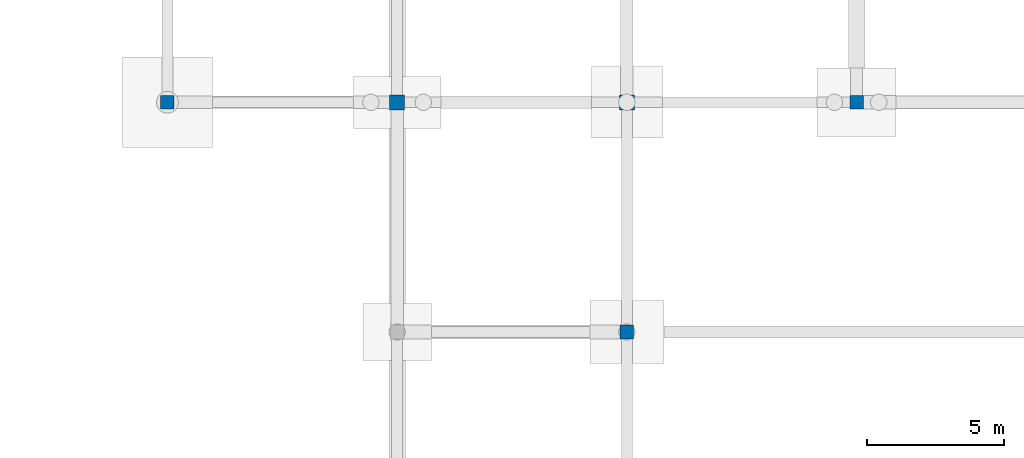
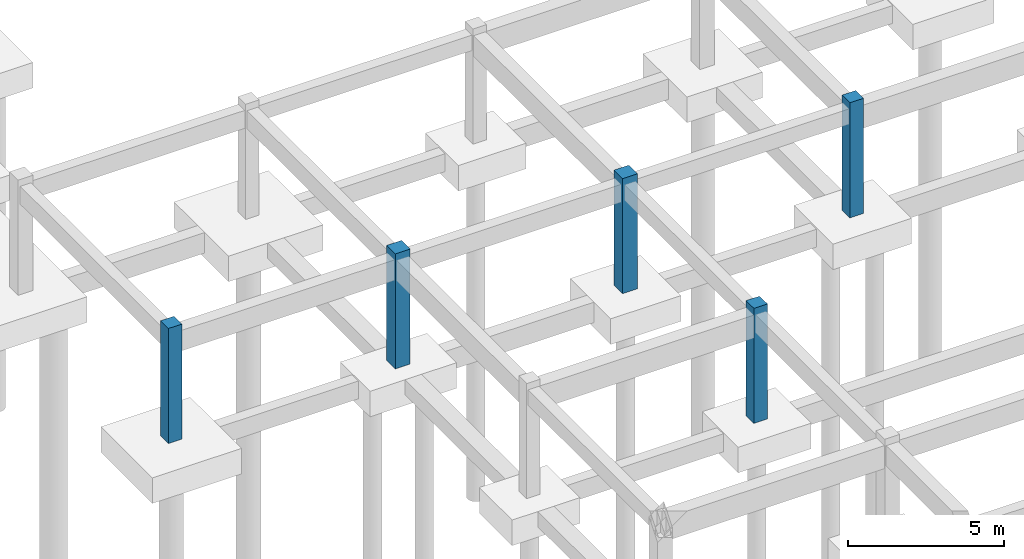
# One storey, part 13 of 43: 5 columns.
"""IFC4 building model written with IfcOpenShell, lengths in metres."""

import ifcopenshell
import ifcopenshell.guid

model = None  # the IFC model being written
_history = None  # IfcOwnerHistory: only IFC2X3 demands one
_inside = {}  # id of a spatial element -> (the spatial element, [elements in it])
_under = {}  # id of a project, library or spatial element -> (it, [spatial elements below it])
_declared = {}  # id of a project -> (the project, [libraries it declares])
_typed = {}  # id of a type object -> (the type object, [elements of that type])
_made_of = {}  # id of a material, layer set ... -> (it, [elements and type objects made of it])


def new_model(schema):
    """Start an empty IFC model of exactly this schema.

    Asked for "IFC4X3", IfcOpenShell would pick the latest addendum, in which some entities
    have other attributes; the version numbers below select the first issue.
    IFC2X3 requires an IfcOwnerHistory on every rooted entity: one is made here for all.
    """
    global model, _history
    if schema == "IFC4X3":
        model = ifcopenshell.file(schema_version=(4, 3, 0, 0))
    else:
        model = ifcopenshell.file(schema=schema)
    _inside.clear()
    _under.clear()
    _declared.clear()
    _typed.clear()
    _made_of.clear()
    _history = None
    if model.schema == "IFC2X3":
        org = make("IfcOrganization", Name="unknown")
        user = make(
            "IfcPersonAndOrganization",
            ThePerson=make("IfcPerson", FamilyName="unknown"),
            TheOrganization=org,
        )
        app = make(
            "IfcApplication",
            ApplicationDeveloper=org,
            Version="unknown",
            ApplicationFullName="unknown",
            ApplicationIdentifier="unknown",
        )
        _history = make(
            "IfcOwnerHistory",
            OwningUser=user,
            OwningApplication=app,
            ChangeAction="ADDED",
            CreationDate=0,
        )
    return model


def make(cls, **values):
    """One entity of the class cls with the attributes given. An attribute that is None is left unset."""
    return model.create_entity(
        cls, **{name: value for name, value in values.items() if value is not None}
    )


def rooted(cls, **values):
    """An entity with a GlobalId (a new one), such as an element, a storey or a relation."""
    return make(cls, GlobalId=ifcopenshell.guid.new(), OwnerHistory=_history, **values)


def si_unit(unit_type, name, prefix=None):
    """IfcSIUnit, for example si_unit("LENGTHUNIT", "METRE", prefix="MILLI")."""
    return make("IfcSIUnit", UnitType=unit_type, Prefix=prefix, Name=name)


def derived_unit(unit_type, elements):
    """IfcDerivedUnit: a product of units, each with its exponent."""
    return make(
        "IfcDerivedUnit",
        Elements=[
            make("IfcDerivedUnitElement", Unit=unit, Exponent=power)
            for unit, power in elements
        ],
        UnitType=unit_type,
    )


def assignment(units):
    """IfcUnitAssignment: the units of a project."""
    return None if units is None else make("IfcUnitAssignment", Units=units)


def point(xyz):
    """IfcCartesianPoint."""
    return None if xyz is None else make("IfcCartesianPoint", Coordinates=xyz)


def direction(xyz):
    """IfcDirection."""
    return None if xyz is None else make("IfcDirection", DirectionRatios=xyz)


def frame(location, z_axis=None, x_axis=None):
    """IfcAxis2Placement3D, a coordinate frame: its origin and axes. An axis left out is left unset."""
    return make(
        "IfcAxis2Placement3D",
        Location=point(location),
        Axis=direction(z_axis),
        RefDirection=direction(x_axis),
    )


def frame_2d(location, x_axis=None):
    """IfcAxis2Placement2D, a coordinate frame in the plane: its origin and x axis."""
    return make(
        "IfcAxis2Placement2D", Location=point(location), RefDirection=direction(x_axis)
    )


def origin():
    """The frame at (0, 0, 0) with its axes left unset."""
    return frame((0.0, 0.0, 0.0))


def origin_2d():
    """The frame at (0, 0) in the plane with its x axis left unset."""
    return frame_2d((0.0, 0.0))


def place(relative_to, where):
    """IfcLocalPlacement: puts the frame where relative to a parent placement (None: the world)."""
    return make(
        "IfcLocalPlacement", PlacementRelTo=relative_to, RelativePlacement=where
    )


def context(
    kind, dimensions, precision=None, world=None, true_north=None, identifier=None
):
    """IfcGeometricRepresentationContext, for example the 3D "Model" context."""
    return make(
        "IfcGeometricRepresentationContext",
        ContextIdentifier=identifier,
        ContextType=kind,
        CoordinateSpaceDimension=dimensions,
        Precision=precision,
        WorldCoordinateSystem=world,
        TrueNorth=true_north,
    )


def subcontext(parent, identifier, kind, view, scale=None):
    """IfcGeometricRepresentationSubContext, for example "Body" below "Model"."""
    return make(
        "IfcGeometricRepresentationSubContext",
        ContextIdentifier=identifier,
        ContextType=kind,
        ParentContext=parent,
        TargetScale=scale,
        TargetView=view,
    )


def project(units=None, contexts=None):
    """IfcProject with its units and contexts."""
    return rooted(
        "IfcProject",
        Name="project",
        RepresentationContexts=contexts,
        UnitsInContext=assignment(units),
    )


def spatial(cls, under=None, at=None, **own):
    """A site, building, storey or space (cls), placed at a placement, below another one or the project."""
    s = rooted(cls, ObjectPlacement=at, **own)
    if under is not None:
        _under.setdefault(under.id(), (under, []))[1].append(s)
    return s


def profile(cls, at=None, kind="AREA", **sizes):
    """A parametric profile (cls). Its sizes go by their IFC names, for example OverallWidth=200.0."""
    return make(cls, ProfileType=kind, Position=at, **sizes)


def rectangle(**sizes):
    """IfcRectangleProfileDef."""
    return profile("IfcRectangleProfileDef", **sizes)


def extrude(swept, where, along, depth):
    """IfcExtrudedAreaSolid: the profile swept, set in the frame where, extruded along a direction by depth."""
    return make(
        "IfcExtrudedAreaSolid",
        SweptArea=swept,
        Position=where,
        ExtrudedDirection=direction(along),
        Depth=depth,
    )


def shape(context_of_items, identifier, shape_type, items):
    """IfcShapeRepresentation: the items that make up one representation, for example the "Body"."""
    return make(
        "IfcShapeRepresentation",
        ContextOfItems=context_of_items,
        RepresentationIdentifier=identifier,
        RepresentationType=shape_type,
        Items=items,
    )


def material(Name=None, Category=None):
    """IfcMaterial."""
    return make("IfcMaterial", Name=Name, Category=Category)


def material_profile(
    of_material, cross_section, Name=None, Category=None, Priority=None
):
    """IfcMaterialProfile: a cross section and its material."""
    return make(
        "IfcMaterialProfile",
        Name=Name,
        Material=of_material,
        Profile=cross_section,
        Priority=Priority,
        Category=Category,
    )


def profile_set(profiles, Name=None, composite=None):
    """IfcMaterialProfileSet."""
    return make(
        "IfcMaterialProfileSet",
        Name=Name,
        MaterialProfiles=profiles,
        CompositeProfile=composite,
    )


def made_of(thing, what):
    """Note that an element or type object is made of a material, layer set ...; save() writes the relation."""
    if what is not None:
        _made_of.setdefault(what.id(), (what, []))[1].append(thing)
    return thing


def type_object(cls, material=None, **own):
    """A type object (cls), such as IfcWallType, which elements share."""
    return made_of(rooted(cls, **own), material)


def element(
    cls,
    number,
    at=None,
    inside=None,
    cuts=None,
    type_object=None,
    material=None,
    context=None,
    identifier="Body",
    shape_type=None,
    held_by="IfcProductDefinitionShape",
    body=None,
    shapes=None,
    **own,
):
    """One element of the class cls, such as IfcWall. Its Tag is "e" and its number.

    at: its placement. inside: the storey or other place that contains it. cuts: it is an
    opening in that element (IfcRelVoidsElement). A single representation is given by context,
    identifier, shape_type and body (its items); several are given by shapes. held_by: the class
    of the entity that holds the representations. save() writes the other relations.
    """
    e = rooted(cls, Tag="e%d" % number, ObjectPlacement=at, **own)
    if body is not None:
        shapes = [shape(context, identifier, shape_type, body)]
    if shapes is not None:
        e.Representation = make(held_by, Representations=shapes)
    if inside is not None:
        _inside.setdefault(inside.id(), (inside, []))[1].append(e)
    if cuts is not None:
        rooted(
            "IfcRelVoidsElement", RelatingBuildingElement=cuts, RelatedOpeningElement=e
        )
    if type_object is not None:
        _typed.setdefault(type_object.id(), (type_object, []))[1].append(e)
    return made_of(e, material)


def aggregate(whole, parts):
    """IfcRelAggregates: a whole, such as a stair, and the parts it consists of."""
    return rooted("IfcRelAggregates", RelatingObject=whole, RelatedObjects=parts)


def save(model, path):
    """Write the relations noted so far, then the file.

    IfcRelAggregates (storeys below a building ...), IfcRelContainedInSpatialStructure (elements
    in a storey), IfcRelDefinesByType, IfcRelAssociatesMaterial and IfcRelDeclares: one each for
    every whole, place, type object, material and project.
    """
    for whole, parts in _under.values():
        aggregate(whole, parts)
    for where, things in _inside.values():
        rooted(
            "IfcRelContainedInSpatialStructure",
            RelatedElements=things,
            RelatingStructure=where,
        )
    for kind, things in _typed.values():
        rooted("IfcRelDefinesByType", RelatedObjects=things, RelatingType=kind)
    for what, things in _made_of.values():
        rooted("IfcRelAssociatesMaterial", RelatedObjects=things, RelatingMaterial=what)
    for by, libraries in _declared.values():
        rooted("IfcRelDeclares", RelatingContext=by, RelatedDefinitions=libraries)
    model.write(path)


model = new_model("IFC4")

# Units and contexts
model_context = context("Model", 3, precision=1e-05, world=origin(), true_north=direction((0.0, 1.0)))
body_context = subcontext(model_context, "Body", "Model", "MODEL_VIEW")
ifc_project = project(units=[si_unit("LENGTHUNIT", "METRE"), si_unit("AREAUNIT", "SQUARE_METRE"), si_unit("VOLUMEUNIT", "CUBIC_METRE"), si_unit("PLANEANGLEUNIT", "RADIAN"), si_unit("MASSUNIT", "GRAM", prefix="KILO"), derived_unit("THERMALTRANSMITTANCEUNIT", [(si_unit("POWERUNIT", "WATT"), 1), (si_unit("AREAUNIT", "SQUARE_METRE"), -1), (si_unit("THERMODYNAMICTEMPERATUREUNIT", "KELVIN"), -1)])], contexts=[model_context])

# Site, building, storey
site_placement = place(None, origin())
site = spatial("IfcSite", under=ifc_project, at=site_placement, CompositionType="ELEMENT")
building_placement = place(site_placement, origin())
building = spatial("IfcBuilding", under=site, at=building_placement, Name="Yasenodar Specialist Clinic", CompositionType="ELEMENT")
storey_placement = place(building_placement, frame((0.0, 0.0, -4.5)))
storey = spatial("IfcBuildingStorey", under=building, at=storey_placement, Name="B1", CompositionType="ELEMENT", Elevation=-4.5)

# Columns
ifc_material = material(Name="Concrete C35/45", Category="concrete")
ifc_material_profile_1 = material_profile(ifc_material, rectangle(XDim=0.5, YDim=0.5, at=origin_2d()), Name="RC 500x500")
ifc_profile_set_1 = profile_set([ifc_material_profile_1], Name="Concrete C35/45")
column_type_1 = type_object("IfcColumnType", Name="COL-RC-500", PredefinedType="COLUMN", material=ifc_profile_set_1)
for number, where, z_axis, x_axis, name in (
    (1, (96.60009765625, 25.199951171875, 0.0), (0.0, 0.0, 1.0), (1.0, 0.0, 0.0), "B1 Column V3-111"),
    (2, (113.39990234375, 16.800048828125, 0.0), (0.0, 0.0, 1.0), (1.0, 0.0, 0.0), "B1 Column V3-129"),
    (3, (121.800048828125, 25.199951171875, 0.0), (0.0, 0.0, 1.0), (1.0, 0.0, 0.0), "B1 Column V3-139"),
):
    element("IfcColumn", number, at=place(storey_placement, frame(where, z_axis=z_axis, x_axis=x_axis)), inside=storey, type_object=column_type_1, Name=name, PredefinedType="COLUMN", context=body_context, shape_type="SweptSolid", body=[
        extrude(rectangle(XDim=0.5, YDim=0.5, at=origin_2d()), origin(), (0.0, 0.0, 1.0), 4.5),
    ])
ifc_material_profile_2 = material_profile(ifc_material, rectangle(XDim=0.550048828125, YDim=0.550048828125, at=origin_2d()), Name="RC 550x550")
ifc_profile_set_2 = profile_set([ifc_material_profile_2], Name="Concrete C35/45")
column_type_2 = type_object("IfcColumnType", Name="COL-RC-550", PredefinedType="COLUMN", material=ifc_profile_set_2)
for number, where, z_axis, x_axis, name in (
    (4, (105.0, 25.199951171875, 0.0), (0.0, 0.0, 1.0), (1.0, 0.0, 0.0), "B1 Column V3-120"),
    (5, (113.39990234375, 25.199951171875, 0.0), (0.0, 0.0, 1.0), (1.0, 0.0, 0.0), "B1 Column V3-130"),
):
    element("IfcColumn", number, at=place(storey_placement, frame(where, z_axis=z_axis, x_axis=x_axis)), inside=storey, type_object=column_type_2, Name=name, PredefinedType="COLUMN", context=body_context, shape_type="SweptSolid", body=[
        extrude(rectangle(XDim=0.550048828125, YDim=0.550048828125, at=origin_2d()), origin(), (0.0, 0.0, 1.0), 4.5),
    ])

save(model, "model.ifc")
